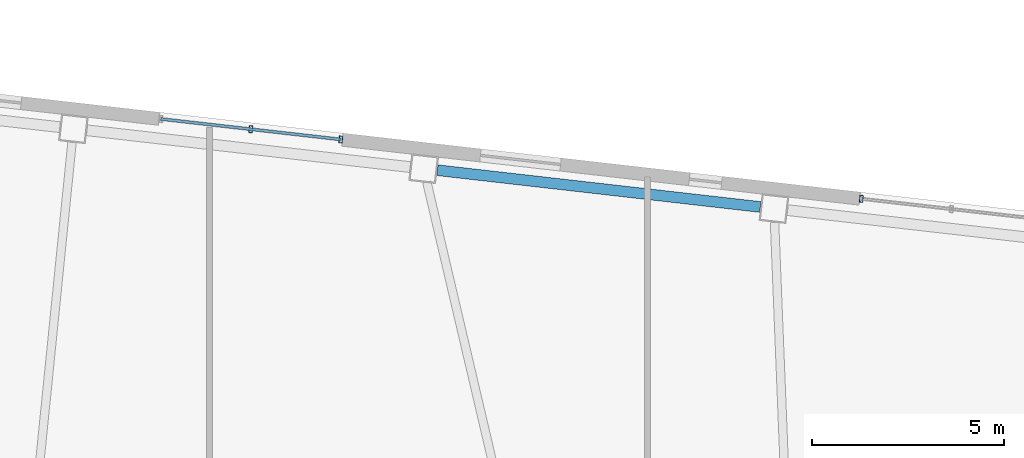
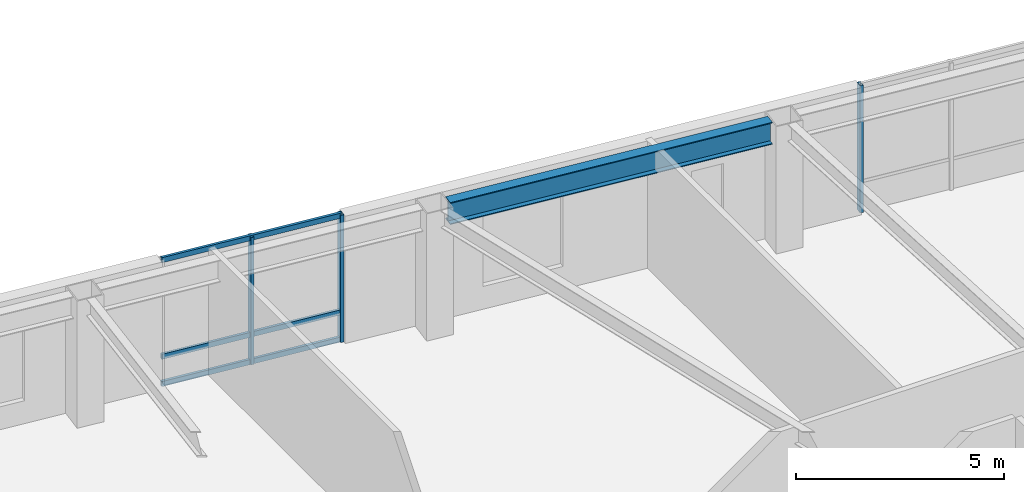
# One storey, part 8 of 20: 6 members, 1 beam, 2 elements without a shape of their own.
"""IFC4 building model written with IfcOpenShell, lengths in metres."""

from ifc_helpers import new_model, si_unit, direction, frame, origin, origin_2d, place, context, subcontext, project, spatial, hollow_rectangle, i_section, extrude, material, layer, layer_set, material_profile, profile_set, type_object, element, aggregate, save


model = new_model("IFC4")

# Units and contexts
model_context = context("Model", 3, precision=1e-05, world=origin(), true_north=direction((0.0, 1.0)))
body_context = subcontext(model_context, "Body", "Model", "MODEL_VIEW")
ifc_project = project(units=[si_unit("LENGTHUNIT", "METRE"), si_unit("AREAUNIT", "SQUARE_METRE"), si_unit("VOLUMEUNIT", "CUBIC_METRE"), si_unit("PLANEANGLEUNIT", "RADIAN"), si_unit("MASSUNIT", "GRAM", prefix="KILO")], contexts=[model_context])

# Site, building, storey
site_placement = place(None, origin())
site = spatial("IfcSite", under=ifc_project, at=site_placement, CompositionType="ELEMENT")
building_placement = place(site_placement, origin())
building = spatial("IfcBuilding", under=site, at=building_placement, Name="Tavrogorsk Clinical Tower", CompositionType="ELEMENT")
storey_placement = place(building_placement, frame((0.0, 0.0, 105.39990234375)))
storey = spatial("IfcBuildingStorey", under=building, at=storey_placement, Name="L23", CompositionType="ELEMENT", Elevation=105.39990234375)

# Curtain wall, members
ifc_material_1 = material(Name="Anodised aluminium and triple IGU glazing", Category="aluminium")
ifc_layer = layer(ifc_material_1, 0.179931640625)
ifc_layer_set = layer_set([ifc_layer], Name="Anodised aluminium and triple IGU glazing")
curtain_wall_type = type_object("IfcCurtainWallType", Name="CW2_NorthSlot", PredefinedType="NOTDEFINED", material=ifc_layer_set)
curtain_wall_1_placement = place(storey_placement, origin())
curtain_wall_1 = element("IfcCurtainWall", 1, at=curtain_wall_1_placement, inside=storey, type_object=curtain_wall_type, Name="L23 Curtain Wall CW-L23-N-SLOT-1", PredefinedType="NOTDEFINED")
ifc_material_2 = material(Name="Anodised aluminium alloy AW-6060", Category="aluminium")
ifc_material_profile_1 = material_profile(ifc_material_2, hollow_rectangle(XDim=0.090087890625, YDim=0.179931640625, WallThickness=0.00634765625, at=origin_2d()), Name="RHS-180x90x6.3")
ifc_profile_set_1 = profile_set([ifc_material_profile_1], Name="Anodised aluminium alloy AW-6060")
member_type_1 = type_object("IfcMemberType", Name="CwMullion_180x90", PredefinedType="MULLION", material=ifc_profile_set_1)
member_1_placement = place(storey_placement, frame((-1.586181640625, 23.443603515625, 0.0), z_axis=(0.0, 0.0, 1.0), x_axis=(-0.993571858269, 0.113203191016, 0.0)))
member_1 = element("IfcMember", 2, at=member_1_placement, type_object=member_type_1, Name="CW-L23-N-SLOT-1 Mullion 1", PredefinedType="MULLION", context=body_context, shape_type="SweptSolid", body=[
    extrude(hollow_rectangle(XDim=0.090087890625, YDim=0.179931640625, WallThickness=0.00634765625, at=origin_2d()), origin(), (0.0, 0.0, 1.0), 3.739990234375),
])
member_2_placement = place(storey_placement, frame((-3.929931640625, 23.71044921875, 0.0), z_axis=(0.0, 0.0, 1.0), x_axis=(-0.993571858269, 0.113203191016, 0.0)))
member_2 = element("IfcMember", 3, at=member_2_placement, type_object=member_type_1, Name="CW-L23-N-SLOT-1 Mullion 2", PredefinedType="MULLION", context=body_context, shape_type="SweptSolid", body=[
    extrude(hollow_rectangle(XDim=0.090087890625, YDim=0.179931640625, WallThickness=0.00634765625, at=origin_2d()), origin(), (0.0, 0.0, 1.0), 3.739990234375),
])

# Curtain wall, member
curtain_wall_2_placement = place(storey_placement, origin())
curtain_wall_2 = element("IfcCurtainWall", 4, at=curtain_wall_2_placement, inside=storey, type_object=curtain_wall_type, Name="L23 Curtain Wall CW-L23-N-SLOT-2", PredefinedType="NOTDEFINED")
member_3_placement = place(storey_placement, frame((11.962646484375, 21.89990234375, 0.0), z_axis=(0.0, 0.0, 1.0), x_axis=(-0.993571855603, 0.11320321441, 0.0)))
member_3 = element("IfcMember", 5, at=member_3_placement, type_object=member_type_1, Name="CW-L23-N-SLOT-2 Mullion 3", PredefinedType="MULLION", context=body_context, shape_type="SweptSolid", body=[
    extrude(hollow_rectangle(XDim=0.090087890625, YDim=0.179931640625, WallThickness=0.00634765625, at=origin_2d()), origin(), (0.0, 0.0, 1.0), 3.739990234375),
])
aggregate(curtain_wall_2, [member_3])

# Member
ifc_material_3 = material(Name="Anodised aluminium alloy AW-6060", Category="aluminium")
ifc_material_profile_2 = material_profile(ifc_material_3, hollow_rectangle(XDim=0.074951171875, YDim=0.14990234375, WallThickness=0.0048828125, at=origin_2d()), Name="RHS-150x75x5")
ifc_profile_set_2 = profile_set([ifc_material_profile_2], Name="Anodised aluminium alloy AW-6060")
member_type_2 = type_object("IfcMemberType", Name="CwTransom_150x75", PredefinedType="USERDEFINED", material=ifc_profile_set_2)
member_4_placement = place(storey_placement, frame((-1.586181640625, 23.443603515625, 0.050048828125), z_axis=(-0.993575136134, 0.11317441785, 0.0), x_axis=(-0.11317441785, -0.993575136134, 0.0)))
member_4 = element("IfcMember", 6, at=member_4_placement, type_object=member_type_2, Name="CW-L23-N-SLOT-1 Transom 1", ObjectType="TRANSOM", PredefinedType="USERDEFINED", context=body_context, shape_type="SweptSolid", body=[
    extrude(hollow_rectangle(XDim=0.074951171875, YDim=0.14990234375, WallThickness=0.0048828125, at=origin_2d()), origin(), (0.0, 0.0, 1.0), 4.7177734375),
])

member_5_placement = place(storey_placement, frame((-1.586181640625, 23.443603515625, 0.85009765625), z_axis=(-0.993575136134, 0.11317441785, 0.0), x_axis=(-0.11317441785, -0.993575136134, 0.0)))
member_5 = element("IfcMember", 7, at=member_5_placement, type_object=member_type_2, Name="CW-L23-N-SLOT-1 Transom 2", ObjectType="TRANSOM", PredefinedType="USERDEFINED", context=body_context, shape_type="SweptSolid", body=[
    extrude(hollow_rectangle(XDim=0.074951171875, YDim=0.14990234375, WallThickness=0.0048828125, at=origin_2d()), origin(), (0.0, 0.0, 1.0), 4.7177734375),
])

member_6_placement = place(storey_placement, frame((-1.586181640625, 23.443603515625, 3.690185546875), z_axis=(-0.993575136134, 0.11317441785, 0.0), x_axis=(-0.11317441785, -0.993575136134, 0.0)))
member_6 = element("IfcMember", 8, at=member_6_placement, type_object=member_type_2, Name="CW-L23-N-SLOT-1 Transom 3", ObjectType="TRANSOM", PredefinedType="USERDEFINED", context=body_context, shape_type="SweptSolid", body=[
    extrude(hollow_rectangle(XDim=0.074951171875, YDim=0.14990234375, WallThickness=0.0048828125, at=origin_2d()), origin(), (0.0, 0.0, 1.0), 4.7177734375),
])

aggregate(curtain_wall_1, [member_1, member_2, member_4, member_5, member_6])

# Beam
ifc_material_4 = material(Name="Structural steel S390", Category="steel")
ifc_material_profile_3 = material_profile(ifc_material_4, i_section(OverallWidth=0.280029296875, OverallDepth=0.64990234375, WebThickness=0.01611328125, FlangeThickness=0.02490234375, at=origin_2d()), Name="B-650x280x16x25")
ifc_profile_set_3 = profile_set([ifc_material_profile_3], Name="Structural steel S390")
beam_type = type_object("IfcBeamType", Name="SpandrelBeam_B650", PredefinedType="SPANDREL", material=ifc_profile_set_3)
beam_placement = place(storey_placement, frame((9.333984375, 21.68603515625, 3.4150390625), z_axis=(-0.99357306506, 0.113192598642, 0.0), x_axis=(-0.113192598642, -0.99357306506, 0.0)))
element("IfcBeam", 9, at=beam_placement, inside=storey, type_object=beam_type, Name="L23 Perimeter Spandrel N4-N5", PredefinedType="SPANDREL", context=body_context, shape_type="SweptSolid", body=[
    extrude(i_section(OverallWidth=0.280029296875, OverallDepth=0.64990234375, WebThickness=0.01611328125, FlangeThickness=0.02490234375, at=origin_2d()), origin(), (0.0, 0.0, 1.0), 8.46142578125),
])

save(model, "model.ifc")
